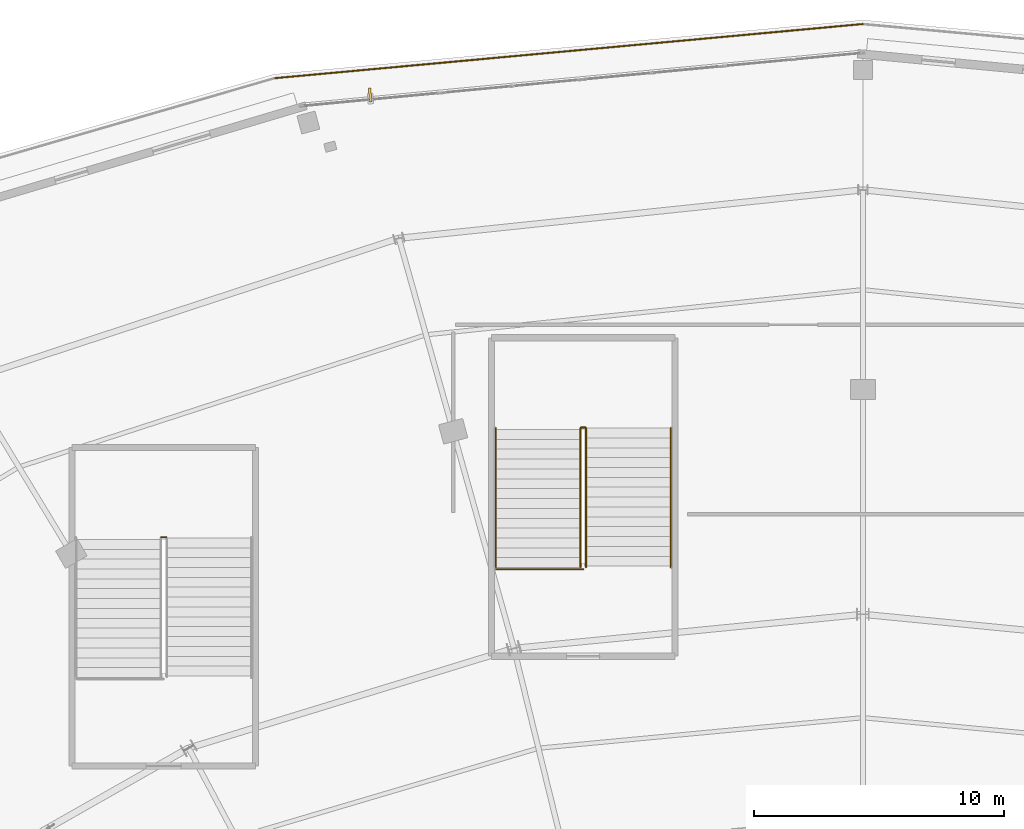
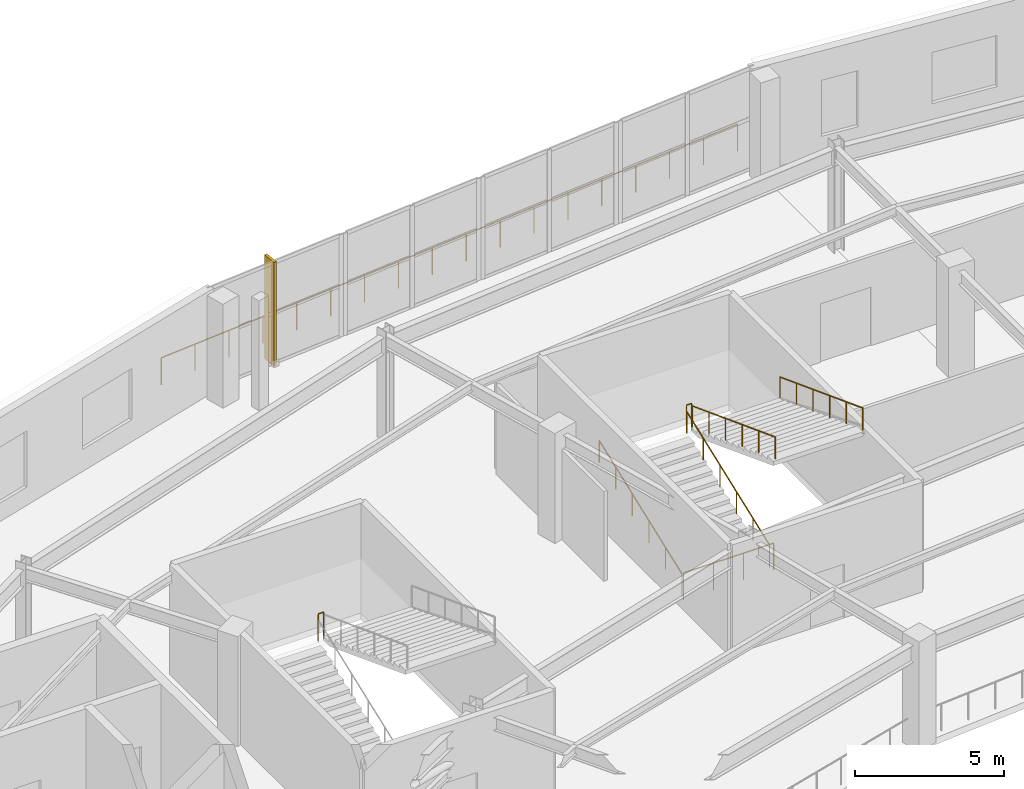
# One storey, part 100 of 107: 8 railings, 1 shading device.
"""IFC4 building model written with IfcOpenShell, lengths in metres."""

from ifc_helpers import new_model, si_unit, direction, frame, origin, origin_2d, place, context, subcontext, project, spatial, rectangle, circle, extrude, material, layer, layer_set, type_object, element, save


model = new_model("IFC4")

# Units and contexts
model_context = context("Model", 3, precision=1e-05, world=origin(), true_north=direction((0.0, 1.0)))
body_context = subcontext(model_context, "Body", "Model", "MODEL_VIEW")
ifc_project = project(units=[si_unit("LENGTHUNIT", "METRE"), si_unit("AREAUNIT", "SQUARE_METRE"), si_unit("VOLUMEUNIT", "CUBIC_METRE"), si_unit("PLANEANGLEUNIT", "RADIAN"), si_unit("MASSUNIT", "GRAM", prefix="KILO")], contexts=[model_context])

# Site, building, storey
site_placement = place(None, origin())
site = spatial("IfcSite", under=ifc_project, at=site_placement, CompositionType="ELEMENT")
building_placement = place(site_placement, origin())
building = spatial("IfcBuilding", under=site, at=building_placement, Name="Kalgoora Escarpment Arena", CompositionType="ELEMENT")
storey_placement = place(building_placement, frame((0.0, 0.0, 5.39990234375)))
storey = spatial("IfcBuildingStorey", under=building, at=storey_placement, Name="L01", CompositionType="ELEMENT", Elevation=5.39990234375)

# Railings
ifc_material_1 = material(Name="Galvanised & powdercoated tubular steel", Category="steel")
railing_type_1 = type_object("IfcRailingType", Name="RAL-GUARD-1120", PredefinedType="GUARDRAIL", material=ifc_material_1)
railing_1_placement = place(storey_placement, frame((64.294921875, 107.080078125, 2.25)))
element("IfcRailing", 1, at=railing_1_placement, inside=storey, type_object=railing_type_1, Name="ST09 L01 half-landing well guard", PredefinedType="GUARDRAIL", context=body_context, shape_type="SweptSolid", body=[
    extrude(circle(Radius=0.02392578125, at=origin_2d()), frame((0.0, 0.0, 1.09619140625), z_axis=(1.0, 0.0, 0.0), x_axis=(0.0, 1.0, 0.0)), (0.0, 0.0, 1.0), 0.2099609375),
    extrude(circle(Radius=0.02099609375, at=origin_2d()), origin(), (0.0, 0.0, 1.0), 1.072021484375),
    extrude(circle(Radius=0.02099609375, at=origin_2d()), frame((0.2099609375, 0.0, 0.0)), (0.0, 0.0, 1.0), 1.072021484375),
])
railing_2_placement = place(storey_placement, frame((81.10009765625, 111.47998046875, 2.25)))
element("IfcRailing", 2, at=railing_2_placement, inside=storey, type_object=railing_type_1, Name="ST10 L01 half-landing well guard", PredefinedType="GUARDRAIL", context=body_context, shape_type="SweptSolid", body=[
    extrude(circle(Radius=0.02392578125, at=origin_2d()), frame((0.0, 0.0, 1.09619140625), z_axis=(1.0, 0.0, 0.0), x_axis=(0.0, 1.0, 0.0)), (0.0, 0.0, 1.0), 0.199951171875),
    extrude(circle(Radius=0.02099609375, at=origin_2d()), origin(), (0.0, 0.0, 1.0), 1.072021484375),
    extrude(circle(Radius=0.02099609375, at=origin_2d()), frame((0.199951171875, 0.0, 0.0)), (0.0, 0.0, 1.0), 1.072021484375),
])
railing_3_placement = place(storey_placement, frame((77.7099609375, 105.81005859375, 0.0)))
element("IfcRailing", 3, at=railing_3_placement, inside=storey, type_object=railing_type_1, Name="ST10 L01 floor landing well guard", PredefinedType="GUARDRAIL", context=body_context, shape_type="SweptSolid", body=[
    extrude(circle(Radius=0.02392578125, at=origin_2d()), frame((0.0, 0.0, 1.09619140625), z_axis=(1.0, 0.0, 0.0), x_axis=(0.0, 1.0, 0.0)), (0.0, 0.0, 1.0), 3.489990234375),
    extrude(circle(Radius=0.02099609375, at=origin_2d()), origin(), (0.0, 0.0, 1.0), 1.072021484375),
    extrude(circle(Radius=0.02099609375, at=origin_2d()), frame((1.163330078125, 0.0, 0.0)), (0.0, 0.0, 1.0), 1.072021484375),
    extrude(circle(Radius=0.02099609375, at=origin_2d()), frame((2.32666015625, 0.0, 0.0)), (0.0, 0.0, 1.0), 1.072021484375),
    extrude(circle(Radius=0.02099609375, at=origin_2d()), frame((3.489990234375, 0.0, 0.0)), (0.0, 0.0, 1.0), 1.072021484375),
])
ifc_material_2 = material(Name="Brushed stainless steel 316 handrail", Category="steel")
railing_type_2 = type_object("IfcRailingType", Name="RAL-HAND-920", PredefinedType="HANDRAIL", material=ifc_material_2)
for number, where, name in (
    (4, (77.699951171875, 105.889892578125, 0.110107421875), "ST10 L01 pitched stair handrail F1L"),
    (5, (81.090087890625, 105.889892578125, 0.110107421875), "ST10 L01 pitched stair handrail F1R"),
):
    element("IfcRailing", number, at=place(storey_placement, frame(where)), inside=storey, type_object=railing_type_2, Name=name, PredefinedType="HANDRAIL", context=body_context, shape_type="SweptSolid", body=[
        extrude(circle(Radius=0.02392578125, at=origin_2d()), frame((0.0, 0.0, 0.89599609375), z_axis=(0.0, 0.935492612948, 0.353346248203), x_axis=(-1.0, 0.0, 0.0)), (0.0, 0.0, 1.0), 5.943359375),
        extrude(circle(Radius=0.02099609375, at=origin_2d()), origin(), (0.0, 0.0, 1.0), 0.871826171875),
        extrude(circle(Radius=0.02099609375, at=origin_2d()), frame((0.0, 1.112060546875, 0.419921875)), (0.0, 0.0, 1.0), 0.871826171875),
        extrude(circle(Radius=0.02099609375, at=origin_2d()), frame((0.0, 2.22412109375, 0.840087890625)), (0.0, 0.0, 1.0), 0.871826171875),
        extrude(circle(Radius=0.02099609375, at=origin_2d()), frame((0.0, 3.3359375, 1.260009765625)), (0.0, 0.0, 1.0), 0.871826171875),
        extrude(circle(Radius=0.02099609375, at=origin_2d()), frame((0.0, 4.447998046875, 1.68017578125)), (0.0, 0.0, 1.0), 0.871826171875),
        extrude(circle(Radius=0.02099609375, at=origin_2d()), frame((0.0, 5.56005859375, 2.10009765625)), (0.0, 0.0, 1.0), 0.871826171875),
    ])
for number, where, name in (
    (6, (81.31005859375, 111.449951171875, 2.360107421875), "ST10 L01 pitched stair handrail F2L"),
    (7, (84.699951171875, 111.449951171875, 2.360107421875), "ST10 L01 pitched stair handrail F2R"),
):
    element("IfcRailing", number, at=place(storey_placement, frame(where)), inside=storey, type_object=railing_type_2, Name=name, PredefinedType="HANDRAIL", context=body_context, shape_type="SweptSolid", body=[
        extrude(circle(Radius=0.02392578125, at=origin_2d()), frame((0.0, 0.0, 0.89599609375), z_axis=(0.0, -0.935492612948, 0.353346248203), x_axis=(1.0, 0.0, 0.0)), (0.0, 0.0, 1.0), 5.943359375),
        extrude(circle(Radius=0.02099609375, at=origin_2d()), origin(), (0.0, 0.0, 1.0), 0.871826171875),
        extrude(circle(Radius=0.02099609375, at=origin_2d()), frame((0.0, -1.112060546875, 0.419921875)), (0.0, 0.0, 1.0), 0.871826171875),
        extrude(circle(Radius=0.02099609375, at=origin_2d()), frame((0.0, -2.22412109375, 0.840087890625)), (0.0, 0.0, 1.0), 0.871826171875),
        extrude(circle(Radius=0.02099609375, at=origin_2d()), frame((0.0, -3.3359375, 1.260009765625)), (0.0, 0.0, 1.0), 0.871826171875),
        extrude(circle(Radius=0.02099609375, at=origin_2d()), frame((0.0, -4.447998046875, 1.68017578125)), (0.0, 0.0, 1.0), 0.871826171875),
        extrude(circle(Radius=0.02099609375, at=origin_2d()), frame((0.0, -5.56005859375, 2.10009765625)), (0.0, 0.0, 1.0), 0.871826171875),
    ])
ifc_material_3 = material(Name="Champagne anodised aluminium & laminated glass", Category="aluminium")
railing_type_3 = type_object("IfcRailingType", Name="RAL-TERR-1100", PredefinedType="GUARDRAIL", material=ifc_material_3)
railing_4_placement = place(storey_placement, frame((68.82568359375, 125.46826171875, 0.0)))
element("IfcRailing", 8, at=railing_4_placement, inside=storey, type_object=railing_type_3, Name="Lower Planted Elliptical Garden Promenade perimeter guardrail 016", PredefinedType="GUARDRAIL", context=body_context, shape_type="SweptSolid", body=[
    extrude(circle(Radius=0.02392578125, at=origin_2d()), frame((0.0, 0.0, 1.09619140625), z_axis=(0.995785753165, 0.091710052847, 0.0), x_axis=(-0.091710052847, 0.995785753165, 0.0)), (0.0, 0.0, 1.0), 23.674072265625),
    extrude(circle(Radius=0.02099609375, at=origin_2d()), origin(), (0.0, 0.0, 1.0), 1.072021484375),
    extrude(circle(Radius=0.02099609375, at=origin_2d()), frame((1.38671875, 0.127685546875, 0.0)), (0.0, 0.0, 1.0), 1.072021484375),
    extrude(circle(Radius=0.02099609375, at=origin_2d()), frame((2.7734375, 0.25537109375, 0.0)), (0.0, 0.0, 1.0), 1.072021484375),
    extrude(circle(Radius=0.02099609375, at=origin_2d()), frame((4.16015625, 0.383056640625, 0.0)), (0.0, 0.0, 1.0), 1.072021484375),
    extrude(circle(Radius=0.02099609375, at=origin_2d()), frame((5.546875, 0.5107421875, 0.0)), (0.0, 0.0, 1.0), 1.072021484375),
    extrude(circle(Radius=0.02099609375, at=origin_2d()), frame((6.93359375, 0.638671875, 0.0)), (0.0, 0.0, 1.0), 1.072021484375),
    extrude(circle(Radius=0.02099609375, at=origin_2d()), frame((8.3203125, 0.766357421875, 0.0)), (0.0, 0.0, 1.0), 1.072021484375),
    extrude(circle(Radius=0.02099609375, at=origin_2d()), frame((9.70703125, 0.89404296875, 0.0)), (0.0, 0.0, 1.0), 1.072021484375),
    extrude(circle(Radius=0.02099609375, at=origin_2d()), frame((11.09375, 1.021728515625, 0.0)), (0.0, 0.0, 1.0), 1.072021484375),
    extrude(circle(Radius=0.02099609375, at=origin_2d()), frame((12.48046875, 1.1494140625, 0.0)), (0.0, 0.0, 1.0), 1.072021484375),
    extrude(circle(Radius=0.02099609375, at=origin_2d()), frame((13.8671875, 1.277099609375, 0.0)), (0.0, 0.0, 1.0), 1.072021484375),
    extrude(circle(Radius=0.02099609375, at=origin_2d()), frame((15.25390625, 1.40478515625, 0.0)), (0.0, 0.0, 1.0), 1.072021484375),
    extrude(circle(Radius=0.02099609375, at=origin_2d()), frame((16.640625, 1.532470703125, 0.0)), (0.0, 0.0, 1.0), 1.072021484375),
    extrude(circle(Radius=0.02099609375, at=origin_2d()), frame((18.02734375, 1.660400390625, 0.0)), (0.0, 0.0, 1.0), 1.072021484375),
    extrude(circle(Radius=0.02099609375, at=origin_2d()), frame((19.4140625, 1.7880859375, 0.0)), (0.0, 0.0, 1.0), 1.072021484375),
    extrude(circle(Radius=0.02099609375, at=origin_2d()), frame((20.80078125, 1.915771484375, 0.0)), (0.0, 0.0, 1.0), 1.072021484375),
    extrude(circle(Radius=0.02099609375, at=origin_2d()), frame((22.1875, 2.04345703125, 0.0)), (0.0, 0.0, 1.0), 1.072021484375),
    extrude(circle(Radius=0.02099609375, at=origin_2d()), frame((23.57421875, 2.171142578125, 0.0)), (0.0, 0.0, 1.0), 1.072021484375),
])

# Shading device
ifc_material_4 = material(Name="Champagne anodised extruded aluminium", Category="aluminium")
ifc_layer = layer(ifc_material_4, 0.080078125)
ifc_layer_set = layer_set([ifc_layer], Name="SHD-FIN-CHAMP")
shading_device_type = type_object("IfcShadingDeviceType", Name="SHD-FIN-CHAMP", PredefinedType="USERDEFINED", material=ifc_layer_set)
shading_device_placement = place(storey_placement, frame((72.666748046875, 124.791015625, 0.0), z_axis=(0.0, 0.0, 1.0), x_axis=(-0.094282070226, 0.995545524441, 0.0)))
element("IfcShadingDevice", 9, at=shading_device_placement, inside=storey, type_object=shading_device_type, Name="L01 champagne anodised solar fin 03", ObjectType="FIN", PredefinedType="USERDEFINED", context=body_context, shape_type="SweptSolid", body=[
    extrude(rectangle(XDim=0.56005859375, YDim=0.10009765625, at=origin_2d()), origin(), (0.0, 0.0, 1.0), 4.25),
])

save(model, "model.ifc")
